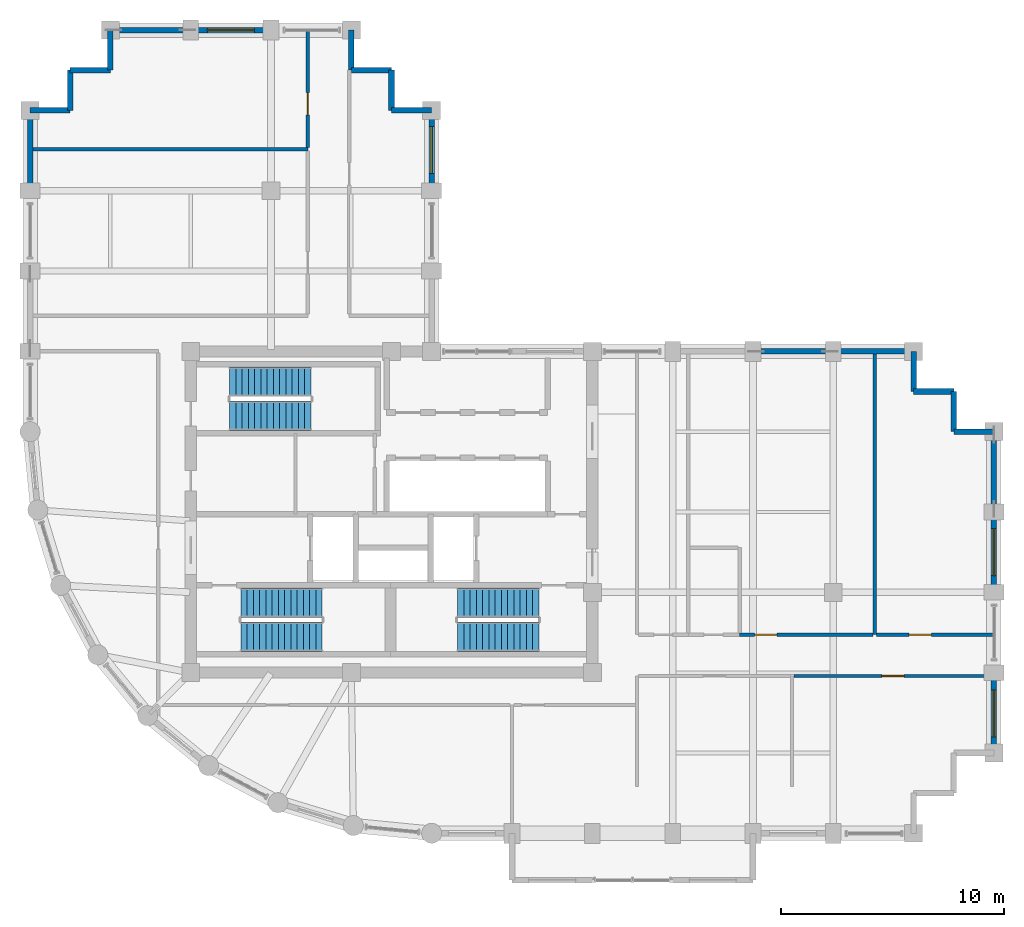
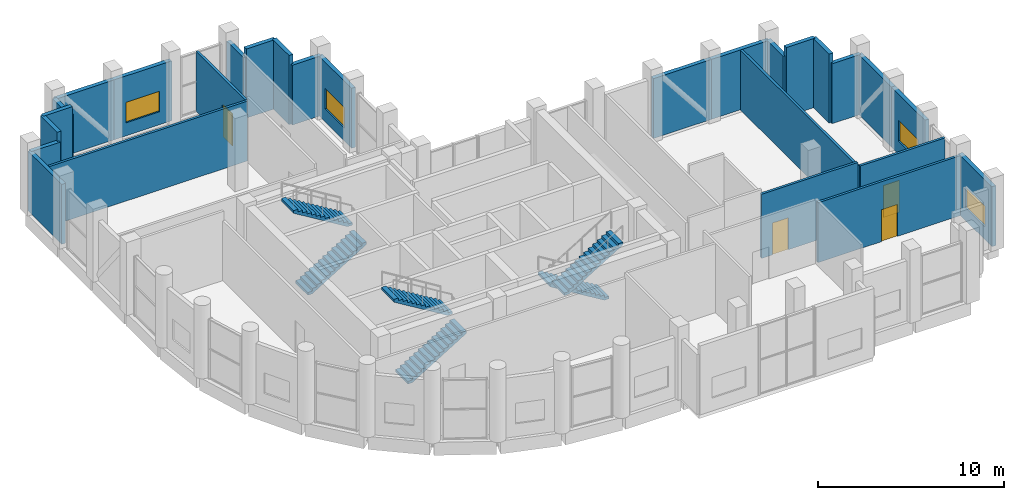
# One storey, part 15 of 16: 27 walls, 6 stair flights, 4 doors, 4 windows, 8 openings, 3 elements without a shape of their own.
"""IFC4 building model written with IfcOpenShell, lengths in metres."""

from ifc_helpers import new_model, si_unit, direction, frame, frame_2d, origin, place, context, subcontext, project, spatial, polyline, rectangle, outline, extrude, material, layer, layer_set, type_object, element, fill, aggregate, save


model = new_model("IFC4")

# Units and contexts
model_context = context("Model", 3, precision=1e-05, world=origin(), true_north=direction((0.0, 1.0)))
body_context = subcontext(model_context, "Body", "Model", "MODEL_VIEW")
ifc_project = project(units=[si_unit("LENGTHUNIT", "METRE"), si_unit("AREAUNIT", "SQUARE_METRE"), si_unit("VOLUMEUNIT", "CUBIC_METRE"), si_unit("PLANEANGLEUNIT", "RADIAN"), si_unit("MASSUNIT", "GRAM", prefix="KILO")], contexts=[model_context])

# Site, building, storey
site_placement = place(None, origin())
site = spatial("IfcSite", under=ifc_project, at=site_placement, CompositionType="ELEMENT")
building_placement = place(site_placement, origin())
building = spatial("IfcBuilding", under=site, at=building_placement, Name="Solnavia Interchange Tower", CompositionType="ELEMENT")
storey_placement = place(building_placement, frame((0.0, 0.0, 209.0)))
storey = spatial("IfcBuildingStorey", under=building, at=storey_placement, Name="L52", CompositionType="ELEMENT", Elevation=209.0)

# Wall, opening, window
ifc_material_1 = material(Name="Concrete C40/50", Category="concrete")
ifc_layer_1 = layer(ifc_material_1, 0.25)
ifc_layer_set_1 = layer_set([ifc_layer_1], Name="Concrete C40/50")
wall_type_1 = type_object("IfcWallType", Name="Wall-ExtSpandrel-250", PredefinedType="STANDARD", material=ifc_layer_set_1)
wall_1_placement = place(storey_placement, frame((50.39990234375, 10.800048828125, 0.0), z_axis=(0.0, 0.0, 1.0), x_axis=(0.0, -1.0, 0.0)))
wall_1 = element("IfcWall", 1, at=wall_1_placement, inside=storey, type_object=wall_type_1, Name="EXW-L52-13 Exterior precast spandrel wall", PredefinedType="STANDARD", context=body_context, shape_type="SweptSolid", body=[
    extrude(rectangle(XDim=3.60009765625, YDim=0.25, at=frame_2d((1.800048828125, 0.0))), origin(), (0.0, 0.0, 1.0), 3.929931640625),
])
opening_1_placement = place(wall_1_placement, frame((0.77490234375, 0.0, 0.85009765625)))
opening_1 = element("IfcOpeningElement", 2, at=opening_1_placement, cuts=wall_1, Name="Opening WIN-01", PredefinedType="OPENING", context=body_context, shape_type="SweptSolid", body=[
    extrude(rectangle(XDim=2.10009765625, YDim=1.35009765625, at=frame_2d((1.050048828125, 0.675048828125))), frame((0.0, 0.135009765625, 0.0), z_axis=(0.0, -1.0, 0.0), x_axis=(1.0, 0.0, 0.0)), (0.0, 0.0, 1.0), 0.27001953125),
])
ifc_material_2 = material(Name="Thermal-Break Aluminium & Low-E Glass", Category="aluminium")
window_type = type_object("IfcWindowType", Name="Window-Ribbon-2100x1350", PartitioningType="SINGLE_PANEL", PredefinedType="WINDOW", material=ifc_material_2)
window_1_placement = place(opening_1_placement, origin())
window_1 = element("IfcWindow", 3, at=window_1_placement, inside=storey, type_object=window_type, Name="WIN-L52-13 Facade ribbon window", OverallHeight=1.35009765625, OverallWidth=2.10009765625, PartitioningType="SINGLE_PANEL", PredefinedType="WINDOW", context=body_context, shape_type="SweptSolid", body=[
    extrude(rectangle(XDim=2.10009765625, YDim=1.35009765625, at=frame_2d((1.050048828125, 0.675048828125))), frame((0.0, 0.030029296875, 0.0), z_axis=(0.0, -1.0, 0.0), x_axis=(1.0, 0.0, 0.0)), (0.0, 0.0, 1.0), 0.06005859375),
])
fill(opening_1, window_1)

wall_2_placement = place(storey_placement, frame((50.39990234375, 18.0, 0.0), z_axis=(0.0, 0.0, 1.0), x_axis=(0.0, -1.0, 0.0)))
wall_2 = element("IfcWall", 4, at=wall_2_placement, inside=storey, type_object=wall_type_1, Name="EXW-L52-15 Exterior precast spandrel wall", PredefinedType="STANDARD", context=body_context, shape_type="SweptSolid", body=[
    extrude(rectangle(XDim=3.60009765625, YDim=0.25, at=frame_2d((1.800048828125, 0.0))), origin(), (0.0, 0.0, 1.0), 3.929931640625),
])
opening_2_placement = place(wall_2_placement, frame((0.75, 0.0, 0.85009765625)))
opening_2 = element("IfcOpeningElement", 5, at=opening_2_placement, cuts=wall_2, Name="Opening WIN-01", PredefinedType="OPENING", context=body_context, shape_type="SweptSolid", body=[
    extrude(rectangle(XDim=2.10009765625, YDim=1.35009765625, at=frame_2d((1.050048828125, 0.675048828125))), frame((0.0, 0.135009765625, 0.0), z_axis=(0.0, -1.0, 0.0), x_axis=(1.0, 0.0, 0.0)), (0.0, 0.0, 1.0), 0.27001953125),
])
window_2_placement = place(opening_2_placement, origin())
window_2 = element("IfcWindow", 6, at=window_2_placement, inside=storey, type_object=window_type, Name="WIN-L52-15 Facade ribbon window", OverallHeight=1.35009765625, OverallWidth=2.10009765625, PartitioningType="SINGLE_PANEL", PredefinedType="WINDOW", context=body_context, shape_type="SweptSolid", body=[
    extrude(rectangle(XDim=2.10009765625, YDim=1.35009765625, at=frame_2d((1.050048828125, 0.675048828125))), frame((0.0, 0.030029296875, 0.0), z_axis=(0.0, -1.0, 0.0), x_axis=(1.0, 0.0, 0.0)), (0.0, 0.0, 1.0), 0.06005859375),
])
fill(opening_2, window_2)

# Walls
wall_3_placement = place(storey_placement, frame((50.39990234375, 21.60009765625, 0.0), z_axis=(0.0, 0.0, 1.0), x_axis=(0.0, -1.0, 0.0)))
element("IfcWall", 7, at=wall_3_placement, inside=storey, type_object=wall_type_1, Name="EXW-L52-16 Exterior precast spandrel wall", PredefinedType="STANDARD", context=body_context, shape_type="SweptSolid", body=[
    extrude(rectangle(XDim=3.60009765625, YDim=0.25, at=frame_2d((1.800048828125, 0.0))), origin(), (0.0, 0.0, 1.0), 3.929931640625),
])
wall_4_placement = place(storey_placement, frame((48.60009765625, 21.60009765625, 0.0), z_axis=(0.0, 0.0, 1.0), x_axis=(1.0, 0.0, 0.0)))
element("IfcWall", 8, at=wall_4_placement, inside=storey, type_object=wall_type_1, Name="EXW-L52-17 Exterior precast spandrel wall", PredefinedType="STANDARD", context=body_context, shape_type="SweptSolid", body=[
    extrude(rectangle(XDim=1.7998046875, YDim=0.25, at=frame_2d((0.89990234375, 0.0))), origin(), (0.0, 0.0, 1.0), 3.929931640625),
])
wall_5_placement = place(storey_placement, frame((48.60009765625, 23.39990234375, 0.0), z_axis=(0.0, 0.0, 1.0), x_axis=(0.0, -1.0, 0.0)))
element("IfcWall", 9, at=wall_5_placement, inside=storey, type_object=wall_type_1, Name="EXW-L52-18 Exterior precast spandrel wall", PredefinedType="STANDARD", context=body_context, shape_type="SweptSolid", body=[
    extrude(rectangle(XDim=1.7998046875, YDim=0.25, at=frame_2d((0.89990234375, 0.0))), origin(), (0.0, 0.0, 1.0), 4.534912109375),
])
wall_6_placement = place(storey_placement, frame((46.800048828125, 23.39990234375, 0.0), z_axis=(0.0, 0.0, 1.0), x_axis=(1.0, 0.0, 0.0)))
element("IfcWall", 10, at=wall_6_placement, inside=storey, type_object=wall_type_1, Name="EXW-L52-19 Exterior precast spandrel wall", PredefinedType="STANDARD", context=body_context, shape_type="SweptSolid", body=[
    extrude(rectangle(XDim=1.800048828125, YDim=0.25, at=frame_2d((0.89990234375, 0.0))), origin(), (0.0, 0.0, 1.0), 4.534912109375),
])
wall_7_placement = place(storey_placement, frame((46.800048828125, 25.199951171875, 0.0), z_axis=(0.0, 0.0, 1.0), x_axis=(0.0, -1.0, 0.0)))
element("IfcWall", 11, at=wall_7_placement, inside=storey, type_object=wall_type_1, Name="EXW-L52-20 Exterior precast spandrel wall", PredefinedType="STANDARD", context=body_context, shape_type="SweptSolid", body=[
    extrude(rectangle(XDim=1.800048828125, YDim=0.25, at=frame_2d((0.89990234375, 0.0))), origin(), (0.0, 0.0, 1.0), 3.929931640625),
])
wall_8_placement = place(storey_placement, frame((43.199951171875, 25.199951171875, 0.0), z_axis=(0.0, 0.0, 1.0), x_axis=(1.0, 0.0, 0.0)))
element("IfcWall", 12, at=wall_8_placement, inside=storey, type_object=wall_type_1, Name="EXW-L52-21 Exterior precast spandrel wall", PredefinedType="STANDARD", context=body_context, shape_type="SweptSolid", body=[
    extrude(rectangle(XDim=3.60009765625, YDim=0.25, at=frame_2d((1.800048828125, 0.0))), origin(), (0.0, 0.0, 1.0), 3.929931640625),
])
wall_9_placement = place(storey_placement, frame((39.60009765625, 25.199951171875, 0.0), z_axis=(0.0, 0.0, 1.0), x_axis=(1.0, 0.0, 0.0)))
element("IfcWall", 13, at=wall_9_placement, inside=storey, type_object=wall_type_1, Name="EXW-L52-22 Exterior precast spandrel wall", PredefinedType="STANDARD", context=body_context, shape_type="SweptSolid", body=[
    extrude(rectangle(XDim=3.599853515625, YDim=0.25, at=frame_2d((1.7998046875, 0.0))), origin(), (0.0, 0.0, 1.0), 3.929931640625),
])

# Wall, opening, window
wall_10_placement = place(storey_placement, frame((25.199951171875, 32.39990234375, 0.0), z_axis=(0.0, 0.0, 1.0), x_axis=(0.0, 1.0, 0.0)))
wall_10 = element("IfcWall", 14, at=wall_10_placement, inside=storey, type_object=wall_type_1, Name="EXW-L52-29 Exterior precast spandrel wall", PredefinedType="STANDARD", context=body_context, shape_type="SweptSolid", body=[
    extrude(rectangle(XDim=3.60009765625, YDim=0.25, at=frame_2d((1.800048828125, 0.0))), origin(), (0.0, 0.0, 1.0), 3.929931640625),
])
opening_3_placement = place(wall_10_placement, frame((0.77490234375, 0.0, 0.85009765625)))
opening_3 = element("IfcOpeningElement", 15, at=opening_3_placement, cuts=wall_10, Name="Opening WIN-01", PredefinedType="OPENING", context=body_context, shape_type="SweptSolid", body=[
    extrude(rectangle(XDim=2.10009765625, YDim=1.35009765625, at=frame_2d((1.050048828125, 0.675048828125))), frame((0.0, 0.135009765625, 0.0), z_axis=(0.0, -1.0, 0.0), x_axis=(1.0, 0.0, 0.0)), (0.0, 0.0, 1.0), 0.27001953125),
])
window_3_placement = place(opening_3_placement, origin())
window_3 = element("IfcWindow", 16, at=window_3_placement, inside=storey, type_object=window_type, Name="WIN-L52-29 Facade ribbon window", OverallHeight=1.35009765625, OverallWidth=2.10009765625, PartitioningType="SINGLE_PANEL", PredefinedType="WINDOW", context=body_context, shape_type="SweptSolid", body=[
    extrude(rectangle(XDim=2.10009765625, YDim=1.35009765625, at=frame_2d((1.050048828125, 0.675048828125))), frame((0.0, 0.030029296875, 0.0), z_axis=(0.0, -1.0, 0.0), x_axis=(1.0, 0.0, 0.0)), (0.0, 0.0, 1.0), 0.06005859375),
])
fill(opening_3, window_3)

# Walls
wall_11_placement = place(storey_placement, frame((23.39990234375, 36.0, 0.0), z_axis=(0.0, 0.0, 1.0), x_axis=(1.0, 0.0, 0.0)))
element("IfcWall", 17, at=wall_11_placement, inside=storey, type_object=wall_type_1, Name="EXW-L52-30 Exterior precast spandrel wall", PredefinedType="STANDARD", context=body_context, shape_type="SweptSolid", body=[
    extrude(rectangle(XDim=1.800048828125, YDim=0.25, at=frame_2d((0.89990234375, 0.0))), origin(), (0.0, 0.0, 1.0), 3.929931640625),
])
wall_12_placement = place(storey_placement, frame((23.39990234375, 36.0, 0.0), z_axis=(0.0, 0.0, 1.0), x_axis=(0.0, 1.0, 0.0)))
element("IfcWall", 18, at=wall_12_placement, inside=storey, type_object=wall_type_1, Name="EXW-L52-31 Exterior precast spandrel wall", PredefinedType="STANDARD", context=body_context, shape_type="SweptSolid", body=[
    extrude(rectangle(XDim=1.800048828125, YDim=0.25, at=frame_2d((0.89990234375, 0.0))), origin(), (0.0, 0.0, 1.0), 4.534912109375),
])
wall_13_placement = place(storey_placement, frame((21.60009765625, 37.800048828125, 0.0), z_axis=(0.0, 0.0, 1.0), x_axis=(1.0, 0.0, 0.0)))
element("IfcWall", 19, at=wall_13_placement, inside=storey, type_object=wall_type_1, Name="EXW-L52-32 Exterior precast spandrel wall", PredefinedType="STANDARD", context=body_context, shape_type="SweptSolid", body=[
    extrude(rectangle(XDim=1.7998046875, YDim=0.25, at=frame_2d((0.89990234375, 0.0))), origin(), (0.0, 0.0, 1.0), 4.534912109375),
])
wall_14_placement = place(storey_placement, frame((21.60009765625, 37.800048828125, 0.0), z_axis=(0.0, 0.0, 1.0), x_axis=(0.0, 1.0, 0.0)))
element("IfcWall", 20, at=wall_14_placement, inside=storey, type_object=wall_type_1, Name="EXW-L52-33 Exterior precast spandrel wall", PredefinedType="STANDARD", context=body_context, shape_type="SweptSolid", body=[
    extrude(rectangle(XDim=1.800048828125, YDim=0.25, at=frame_2d((0.89990234375, 0.0))), origin(), (0.0, 0.0, 1.0), 3.929931640625),
])

# Wall, opening, window
wall_15_placement = place(storey_placement, frame((14.39990234375, 39.60009765625, 0.0), z_axis=(0.0, 0.0, 1.0), x_axis=(1.0, 0.0, 0.0)))
wall_15 = element("IfcWall", 21, at=wall_15_placement, inside=storey, type_object=wall_type_1, Name="EXW-L52-35 Exterior precast spandrel wall", PredefinedType="STANDARD", context=body_context, shape_type="SweptSolid", body=[
    extrude(rectangle(XDim=3.60009765625, YDim=0.25, at=frame_2d((1.800048828125, 0.0))), origin(), (0.0, 0.0, 1.0), 3.929931640625),
])
opening_4_placement = place(wall_15_placement, frame((0.75, 0.0, 0.85009765625)))
opening_4 = element("IfcOpeningElement", 22, at=opening_4_placement, cuts=wall_15, Name="Opening WIN-01", PredefinedType="OPENING", context=body_context, shape_type="SweptSolid", body=[
    extrude(rectangle(XDim=2.10009765625, YDim=1.35009765625, at=frame_2d((1.050048828125, 0.675048828125))), frame((0.0, 0.135009765625, 0.0), z_axis=(0.0, -1.0, 0.0), x_axis=(1.0, 0.0, 0.0)), (0.0, 0.0, 1.0), 0.27001953125),
])
window_4_placement = place(opening_4_placement, origin())
window_4 = element("IfcWindow", 23, at=window_4_placement, inside=storey, type_object=window_type, Name="WIN-L52-35 Facade ribbon window", OverallHeight=1.35009765625, OverallWidth=2.10009765625, PartitioningType="SINGLE_PANEL", PredefinedType="WINDOW", context=body_context, shape_type="SweptSolid", body=[
    extrude(rectangle(XDim=2.10009765625, YDim=1.35009765625, at=frame_2d((1.050048828125, 0.675048828125))), frame((0.0, 0.030029296875, 0.0), z_axis=(0.0, -1.0, 0.0), x_axis=(1.0, 0.0, 0.0)), (0.0, 0.0, 1.0), 0.06005859375),
])
fill(opening_4, window_4)

# Walls
wall_16_placement = place(storey_placement, frame((10.800048828125, 39.60009765625, 0.0), z_axis=(0.0, 0.0, 1.0), x_axis=(1.0, 0.0, 0.0)))
element("IfcWall", 24, at=wall_16_placement, inside=storey, type_object=wall_type_1, Name="EXW-L52-36 Exterior precast spandrel wall", PredefinedType="STANDARD", context=body_context, shape_type="SweptSolid", body=[
    extrude(rectangle(XDim=3.599853515625, YDim=0.25, at=frame_2d((1.7998046875, 0.0))), origin(), (0.0, 0.0, 1.0), 3.929931640625),
])
wall_17_placement = place(storey_placement, frame((10.800048828125, 37.800048828125, 0.0), z_axis=(0.0, 0.0, 1.0), x_axis=(0.0, 1.0, 0.0)))
element("IfcWall", 25, at=wall_17_placement, inside=storey, type_object=wall_type_1, Name="EXW-L52-37 Exterior precast spandrel wall", PredefinedType="STANDARD", context=body_context, shape_type="SweptSolid", body=[
    extrude(rectangle(XDim=1.800048828125, YDim=0.25, at=frame_2d((0.89990234375, 0.0))), origin(), (0.0, 0.0, 1.0), 3.929931640625),
])
for number, where, z_axis, x_axis, name in (
    (26, (9.0, 37.800048828125, 0.0), (0.0, 0.0, 1.0), (1.0, 0.0, 0.0), "EXW-L52-38 Exterior precast spandrel wall"),
    (27, (9.0, 36.0, 0.0), (0.0, 0.0, 1.0), (0.0, 1.0, 0.0), "EXW-L52-39 Exterior precast spandrel wall"),
):
    element("IfcWall", number, at=place(storey_placement, frame(where, z_axis=z_axis, x_axis=x_axis)), inside=storey, type_object=wall_type_1, Name=name, PredefinedType="STANDARD", context=body_context, shape_type="SweptSolid", body=[
        extrude(rectangle(XDim=1.800048828125, YDim=0.25, at=frame_2d((0.89990234375, 0.0))), origin(), (0.0, 0.0, 1.0), 4.534912109375),
    ])
wall_18_placement = place(storey_placement, frame((7.199951171875, 36.0, 0.0), z_axis=(0.0, 0.0, 1.0), x_axis=(1.0, 0.0, 0.0)))
element("IfcWall", 28, at=wall_18_placement, inside=storey, type_object=wall_type_1, Name="EXW-L52-40 Exterior precast spandrel wall", PredefinedType="STANDARD", context=body_context, shape_type="SweptSolid", body=[
    extrude(rectangle(XDim=1.800048828125, YDim=0.25, at=frame_2d((0.89990234375, 0.0))), origin(), (0.0, 0.0, 1.0), 3.929931640625),
])
wall_19_placement = place(storey_placement, frame((7.199951171875, 32.39990234375, 0.0), z_axis=(0.0, 0.0, 1.0), x_axis=(0.0, 1.0, 0.0)))
element("IfcWall", 29, at=wall_19_placement, inside=storey, type_object=wall_type_1, Name="EXW-L52-41 Exterior precast spandrel wall", PredefinedType="STANDARD", context=body_context, shape_type="SweptSolid", body=[
    extrude(rectangle(XDim=3.60009765625, YDim=0.25, at=frame_2d((1.800048828125, 0.0))), origin(), (0.0, 0.0, 1.0), 3.929931640625),
])

# Wall, opening, door
ifc_material_3 = material(Name="Gypsum Plasterboard & Steel Stud", Category="steel")
ifc_layer_2 = layer(ifc_material_3, 0.14990234375)
ifc_layer_set_2 = layer_set([ifc_layer_2], Name="Gypsum Plasterboard & Steel Stud")
wall_type_2 = type_object("IfcWallType", Name="Wall-Partition-150", PredefinedType="PARTITIONING", material=ifc_layer_set_2)
wall_20_placement = place(storey_placement, frame((41.428955078125, 10.64990234375, 0.0), z_axis=(0.0, 0.0, 1.0), x_axis=(1.0, 0.0, 0.0)))
wall_20 = element("IfcWall", 30, at=wall_20_placement, inside=storey, type_object=wall_type_2, Name="PTW-L52-16 Interior partition wall", PredefinedType="PARTITIONING", context=body_context, shape_type="SweptSolid", body=[
    extrude(rectangle(XDim=8.842041015625, YDim=0.14990234375, at=frame_2d((4.4208984375, 0.0))), origin(), (0.0, 0.0, 1.0), 3.929931640625),
])
opening_5_placement = place(wall_20_placement, frame((3.946044921875, 0.0, 0.0)))
opening_5 = element("IfcOpeningElement", 31, at=opening_5_placement, cuts=wall_20, Name="Opening DR-07", PredefinedType="OPENING", context=body_context, shape_type="SweptSolid", body=[
    extrude(rectangle(XDim=1.0, YDim=2.10009765625, at=frame_2d((0.5, 1.050048828125))), frame((0.0, 0.0849609375, 0.0), z_axis=(0.0, -1.0, 0.0), x_axis=(1.0, 0.0, 0.0)), (0.0, 0.0, 1.0), 0.169921875),
])
ifc_material_4 = material(Name="Timber & Acoustic Glazed Office Door", Category="wood")
door_type = type_object("IfcDoorType", Name="Door-Office-1000x2100", OperationType="SINGLE_SWING_RIGHT", PredefinedType="DOOR", material=ifc_material_4)
door_1_placement = place(opening_5_placement, origin())
door_1 = element("IfcDoor", 32, at=door_1_placement, inside=storey, type_object=door_type, Name="DR-L52-07 Interior room door", OperationType="SINGLE_SWING_RIGHT", OverallHeight=2.10009765625, OverallWidth=1.0, PredefinedType="DOOR", context=body_context, shape_type="SweptSolid", body=[
    extrude(rectangle(XDim=1.0, YDim=2.10009765625, at=frame_2d((0.5, 1.050048828125))), frame((0.0, 0.02490234375, 0.0), z_axis=(0.0, -1.0, 0.0), x_axis=(1.0, 0.0, 0.0)), (0.0, 0.0, 1.0), 0.050048828125),
])
fill(opening_5, door_1)

# Wall
wall_21_placement = place(storey_placement, frame((45.050048828125, 12.5, 0.0), z_axis=(0.0, 0.0, 1.0), x_axis=(0.0, 1.0, 0.0)))
element("IfcWall", 33, at=wall_21_placement, inside=storey, type_object=wall_type_2, Name="PTW-L52-17 Interior partition wall", PredefinedType="PARTITIONING", context=body_context, shape_type="SweptSolid", body=[
    extrude(rectangle(XDim=12.571044921875, YDim=0.14990234375, at=frame_2d((6.28564453125, 0.0))), origin(), (0.0, 0.0, 1.0), 3.929931640625),
])

# Wall, opening, door
wall_22_placement = place(storey_placement, frame((39.0, 12.5, 0.0), z_axis=(0.0, 0.0, 1.0), x_axis=(1.0, 0.0, 0.0)))
wall_22 = element("IfcWall", 34, at=wall_22_placement, inside=storey, type_object=wall_type_2, Name="PTW-L52-18 Interior partition wall", PredefinedType="PARTITIONING", context=body_context, shape_type="SweptSolid", body=[
    extrude(rectangle(XDim=5.970947265625, YDim=0.14990234375, at=frame_2d((2.9853515625, 0.0))), origin(), (0.0, 0.0, 1.0), 4.219970703125),
])
opening_6_placement = place(wall_22_placement, frame((0.675048828125, 0.0, 0.0)))
opening_6 = element("IfcOpeningElement", 35, at=opening_6_placement, cuts=wall_22, Name="Opening DR-07", PredefinedType="OPENING", context=body_context, shape_type="SweptSolid", body=[
    extrude(rectangle(XDim=1.0, YDim=2.10009765625, at=frame_2d((0.5, 1.050048828125))), frame((0.0, 0.0849609375, 0.0), z_axis=(0.0, -1.0, 0.0), x_axis=(1.0, 0.0, 0.0)), (0.0, 0.0, 1.0), 0.169921875),
])
door_2_placement = place(opening_6_placement, origin())
door_2 = element("IfcDoor", 36, at=door_2_placement, inside=storey, type_object=door_type, Name="DR-L52-08 Interior room door", OperationType="SINGLE_SWING_RIGHT", OverallHeight=2.10009765625, OverallWidth=1.0, PredefinedType="DOOR", context=body_context, shape_type="SweptSolid", body=[
    extrude(rectangle(XDim=1.0, YDim=2.10009765625, at=frame_2d((0.5, 1.050048828125))), frame((0.0, 0.02490234375, 0.0), z_axis=(0.0, -1.0, 0.0), x_axis=(1.0, 0.0, 0.0)), (0.0, 0.0, 1.0), 0.050048828125),
])
fill(opening_6, door_2)

wall_23_placement = place(storey_placement, frame((45.12890625, 12.5, 0.0), z_axis=(0.0, 0.0, 1.0), x_axis=(1.0, 0.0, 0.0)))
wall_23 = element("IfcWall", 37, at=wall_23_placement, inside=storey, type_object=wall_type_2, Name="PTW-L52-19 Interior partition wall", PredefinedType="PARTITIONING", context=body_context, shape_type="SweptSolid", body=[
    extrude(rectangle(XDim=5.27099609375, YDim=0.14990234375, at=frame_2d((2.635498046875, 0.0))), origin(), (0.0, 0.0, 1.0), 3.929931640625),
])
opening_7_placement = place(wall_23_placement, frame((1.465087890625, 0.0, 0.0)))
opening_7 = element("IfcOpeningElement", 38, at=opening_7_placement, cuts=wall_23, Name="Opening DR-07", PredefinedType="OPENING", context=body_context, shape_type="SweptSolid", body=[
    extrude(rectangle(XDim=1.0, YDim=2.10009765625, at=frame_2d((0.5, 1.050048828125))), frame((0.0, 0.0849609375, 0.0), z_axis=(0.0, -1.0, 0.0), x_axis=(1.0, 0.0, 0.0)), (0.0, 0.0, 1.0), 0.169921875),
])
door_3_placement = place(opening_7_placement, origin())
door_3 = element("IfcDoor", 39, at=door_3_placement, inside=storey, type_object=door_type, Name="DR-L52-09 Interior room door", OperationType="SINGLE_SWING_RIGHT", OverallHeight=2.10009765625, OverallWidth=1.0, PredefinedType="DOOR", context=body_context, shape_type="SweptSolid", body=[
    extrude(rectangle(XDim=1.0, YDim=2.10009765625, at=frame_2d((0.5, 1.050048828125))), frame((0.0, 0.02490234375, 0.0), z_axis=(0.0, -1.0, 0.0), x_axis=(1.0, 0.0, 0.0)), (0.0, 0.0, 1.0), 0.050048828125),
])
fill(opening_7, door_3)

# Wall
wall_24_placement = place(storey_placement, frame((7.3291015625, 34.25, 0.0), z_axis=(0.0, 0.0, 1.0), x_axis=(1.0, 0.0, 0.0)))
element("IfcWall", 40, at=wall_24_placement, inside=storey, type_object=wall_type_2, Name="PTW-L52-21 Interior partition wall", PredefinedType="PARTITIONING", context=body_context, shape_type="SweptSolid", body=[
    extrude(rectangle(XDim=12.32080078125, YDim=0.14990234375, at=frame_2d((6.160400390625, 0.0))), origin(), (0.0, 0.0, 1.0), 3.929931640625),
])

# Wall, opening, door
wall_25_placement = place(storey_placement, frame((19.64990234375, 34.3291015625, 0.0), z_axis=(0.0, 0.0, 1.0), x_axis=(0.0, 1.0, 0.0)))
wall_25 = element("IfcWall", 41, at=wall_25_placement, inside=storey, type_object=wall_type_2, Name="PTW-L52-23 Interior partition wall", PredefinedType="PARTITIONING", context=body_context, shape_type="SweptSolid", body=[
    extrude(rectangle(XDim=5.27099609375, YDim=0.14990234375, at=frame_2d((2.635498046875, 0.0))), origin(), (0.0, 0.0, 1.0), 3.929931640625),
])
opening_8_placement = place(wall_25_placement, frame((1.465087890625, 0.0, 0.0)))
opening_8 = element("IfcOpeningElement", 42, at=opening_8_placement, cuts=wall_25, Name="Opening DR-07", PredefinedType="OPENING", context=body_context, shape_type="SweptSolid", body=[
    extrude(rectangle(XDim=1.0, YDim=2.10009765625, at=frame_2d((0.5, 1.050048828125))), frame((0.0, 0.0849609375, 0.0), z_axis=(0.0, -1.0, 0.0), x_axis=(1.0, 0.0, 0.0)), (0.0, 0.0, 1.0), 0.169921875),
])
door_4_placement = place(opening_8_placement, origin())
door_4 = element("IfcDoor", 43, at=door_4_placement, inside=storey, type_object=door_type, Name="DR-L52-11 Interior room door", OperationType="SINGLE_SWING_RIGHT", OverallHeight=2.10009765625, OverallWidth=1.0, PredefinedType="DOOR", context=body_context, shape_type="SweptSolid", body=[
    extrude(rectangle(XDim=1.0, YDim=2.10009765625, at=frame_2d((0.5, 1.050048828125))), frame((0.0, 0.02490234375, 0.0), z_axis=(0.0, -1.0, 0.0), x_axis=(1.0, 0.0, 0.0)), (0.0, 0.0, 1.0), 0.050048828125),
])
fill(opening_8, door_4)

# Stair, stair flights
stair_type = type_object("IfcStairType", Name="Stair-Dogleg-RC", PredefinedType="HALF_TURN_STAIR", material=ifc_material_1)
stair_1_placement = place(storey_placement, origin())
stair_1 = element("IfcStair", 44, at=stair_1_placement, inside=storey, type_object=stair_type, Name="L52 Core exit stair 1", PredefinedType="HALF_TURN_STAIR")
stair_flight_type = type_object("IfcStairFlightType", Name="StairFlight-RC-150", PredefinedType="STRAIGHT", material=ifc_material_1)
stair_flight_1_placement = place(storey_placement, frame((16.64990234375, 12.409912109375, 0.0), z_axis=(0.0, 0.0, 1.0), x_axis=(1.0, 0.0, 0.0)))
stair_flight_1 = element("IfcStairFlight", 45, at=stair_flight_1_placement, type_object=stair_flight_type, Name="ST-1 flight 1", NumberOfRisers=14, NumberOfTreads=13, PredefinedType="STRAIGHT", RiserHeight=0.171428571, TreadLength=0.28, context=body_context, shape_type="SweptSolid", body=[
    extrude(outline(polyline([(0.0, 0.0), (0.0, 0.17138671875), (0.280029296875, 0.17138671875), (0.280029296875, 0.3427734375), (0.56005859375, 0.3427734375), (0.56005859375, 0.514404296875), (0.840087890625, 0.514404296875), (0.840087890625, 0.685791015625), (1.1201171875, 0.685791015625), (1.1201171875, 0.857177734375), (1.39990234375, 0.857177734375), (1.39990234375, 1.028564453125), (1.679931640625, 1.028564453125), (1.679931640625, 1.199951171875), (1.9599609375, 1.199951171875), (1.9599609375, 1.371337890625), (2.239990234375, 1.371337890625), (2.239990234375, 1.54296875), (2.52001953125, 1.54296875), (2.52001953125, 1.71435546875), (2.800048828125, 1.71435546875), (2.800048828125, 1.8857421875), (3.080078125, 1.8857421875), (3.080078125, 2.05712890625), (3.360107421875, 2.05712890625), (3.360107421875, 2.228515625), (3.639892578125, 2.228515625), (3.639892578125, 2.39990234375), (3.639892578125, 2.052734375), (0.287109375, 0.0), (0.0, 0.0)])), frame((0.0, 0.66015625, 0.0), z_axis=(0.0, -1.0, 0.0), x_axis=(1.0, 0.0, 0.0)), (0.0, 0.0, 1.0), 1.320068359375),
])
stair_flight_2_placement = place(storey_placement, frame((20.2900390625, 13.929931640625, 2.39990234375), z_axis=(0.0, 0.0, 1.0), x_axis=(-1.0, 0.0, 0.0)))
stair_flight_2 = element("IfcStairFlight", 46, at=stair_flight_2_placement, type_object=stair_flight_type, Name="ST-1 flight 2", NumberOfRisers=14, NumberOfTreads=13, PredefinedType="STRAIGHT", RiserHeight=0.171428571, TreadLength=0.28, context=body_context, shape_type="SweptSolid", body=[
    extrude(outline(polyline([(0.0, 0.0), (0.0, 0.17138671875), (0.280029296875, 0.17138671875), (0.280029296875, 0.3427734375), (0.56005859375, 0.3427734375), (0.56005859375, 0.514404296875), (0.840087890625, 0.514404296875), (0.840087890625, 0.685791015625), (1.1201171875, 0.685791015625), (1.1201171875, 0.857177734375), (1.39990234375, 0.857177734375), (1.39990234375, 1.028564453125), (1.679931640625, 1.028564453125), (1.679931640625, 1.199951171875), (1.9599609375, 1.199951171875), (1.9599609375, 1.371337890625), (2.239990234375, 1.371337890625), (2.239990234375, 1.54296875), (2.52001953125, 1.54296875), (2.52001953125, 1.71435546875), (2.800048828125, 1.71435546875), (2.800048828125, 1.8857421875), (3.080078125, 1.8857421875), (3.080078125, 2.05712890625), (3.360107421875, 2.05712890625), (3.360107421875, 2.228515625), (3.639892578125, 2.228515625), (3.639892578125, 2.39990234375), (3.639892578125, 2.052734375), (0.287109375, 0.0), (0.0, 0.0)])), frame((0.0, 0.66015625, 0.0), z_axis=(0.0, -1.0, 0.0), x_axis=(1.0, 0.0, 0.0)), (0.0, 0.0, 1.0), 1.320068359375),
])
aggregate(stair_1, [stair_flight_1, stair_flight_2])

stair_2_placement = place(storey_placement, origin())
stair_2 = element("IfcStair", 47, at=stair_2_placement, inside=storey, type_object=stair_type, Name="L52 Core exit stair 2", PredefinedType="HALF_TURN_STAIR")
stair_flight_3_placement = place(storey_placement, frame((30.0, 13.929931640625, 0.0), z_axis=(0.0, 0.0, 1.0), x_axis=(-1.0, 0.0, 0.0)))
stair_flight_3 = element("IfcStairFlight", 48, at=stair_flight_3_placement, type_object=stair_flight_type, Name="ST-2 flight 1", NumberOfRisers=14, NumberOfTreads=13, PredefinedType="STRAIGHT", RiserHeight=0.171428571, TreadLength=0.28, context=body_context, shape_type="SweptSolid", body=[
    extrude(outline(polyline([(0.0, 0.0), (0.0, 0.17138671875), (0.280029296875, 0.17138671875), (0.280029296875, 0.3427734375), (0.56005859375, 0.3427734375), (0.56005859375, 0.514404296875), (0.840087890625, 0.514404296875), (0.840087890625, 0.685791015625), (1.1201171875, 0.685791015625), (1.1201171875, 0.857177734375), (1.39990234375, 0.857177734375), (1.39990234375, 1.028564453125), (1.679931640625, 1.028564453125), (1.679931640625, 1.199951171875), (1.9599609375, 1.199951171875), (1.9599609375, 1.371337890625), (2.239990234375, 1.371337890625), (2.239990234375, 1.54296875), (2.52001953125, 1.54296875), (2.52001953125, 1.71435546875), (2.800048828125, 1.71435546875), (2.800048828125, 1.8857421875), (3.080078125, 1.8857421875), (3.080078125, 2.05712890625), (3.360107421875, 2.05712890625), (3.360107421875, 2.228515625), (3.639892578125, 2.228515625), (3.639892578125, 2.39990234375), (3.639892578125, 2.052734375), (0.287109375, 0.0), (0.0, 0.0)])), frame((0.0, 0.66015625, 0.0), z_axis=(0.0, -1.0, 0.0), x_axis=(1.0, 0.0, 0.0)), (0.0, 0.0, 1.0), 1.320068359375),
])
stair_flight_4_placement = place(storey_placement, frame((26.360107421875, 12.409912109375, 2.39990234375), z_axis=(0.0, 0.0, 1.0), x_axis=(1.0, 0.0, 0.0)))
stair_flight_4 = element("IfcStairFlight", 49, at=stair_flight_4_placement, type_object=stair_flight_type, Name="ST-2 flight 2", NumberOfRisers=14, NumberOfTreads=13, PredefinedType="STRAIGHT", RiserHeight=0.171428571, TreadLength=0.28, context=body_context, shape_type="SweptSolid", body=[
    extrude(outline(polyline([(0.0, 0.0), (0.0, 0.17138671875), (0.280029296875, 0.17138671875), (0.280029296875, 0.3427734375), (0.56005859375, 0.3427734375), (0.56005859375, 0.514404296875), (0.840087890625, 0.514404296875), (0.840087890625, 0.685791015625), (1.1201171875, 0.685791015625), (1.1201171875, 0.857177734375), (1.39990234375, 0.857177734375), (1.39990234375, 1.028564453125), (1.679931640625, 1.028564453125), (1.679931640625, 1.199951171875), (1.9599609375, 1.199951171875), (1.9599609375, 1.371337890625), (2.239990234375, 1.371337890625), (2.239990234375, 1.54296875), (2.52001953125, 1.54296875), (2.52001953125, 1.71435546875), (2.800048828125, 1.71435546875), (2.800048828125, 1.8857421875), (3.080078125, 1.8857421875), (3.080078125, 2.05712890625), (3.360107421875, 2.05712890625), (3.360107421875, 2.228515625), (3.639892578125, 2.228515625), (3.639892578125, 2.39990234375), (3.639892578125, 2.052734375), (0.287109375, 0.0), (0.0, 0.0)])), frame((0.0, 0.66015625, 0.0), z_axis=(0.0, -1.0, 0.0), x_axis=(1.0, 0.0, 0.0)), (0.0, 0.0, 1.0), 1.320068359375),
])
aggregate(stair_2, [stair_flight_3, stair_flight_4])

stair_3_placement = place(storey_placement, origin())
stair_3 = element("IfcStair", 50, at=stair_3_placement, inside=storey, type_object=stair_type, Name="L52 Core exit stair 3", PredefinedType="HALF_TURN_STAIR")
stair_flight_5_placement = place(storey_placement, frame((16.14990234375, 22.31005859375, 0.0), z_axis=(0.0, 0.0, 1.0), x_axis=(1.0, 0.0, 0.0)))
stair_flight_5 = element("IfcStairFlight", 51, at=stair_flight_5_placement, type_object=stair_flight_type, Name="ST-3 flight 1", NumberOfRisers=14, NumberOfTreads=13, PredefinedType="STRAIGHT", RiserHeight=0.171428571, TreadLength=0.28, context=body_context, shape_type="SweptSolid", body=[
    extrude(outline(polyline([(0.0, 0.0), (0.0, 0.17138671875), (0.280029296875, 0.17138671875), (0.280029296875, 0.3427734375), (0.56005859375, 0.3427734375), (0.56005859375, 0.514404296875), (0.840087890625, 0.514404296875), (0.840087890625, 0.685791015625), (1.1201171875, 0.685791015625), (1.1201171875, 0.857177734375), (1.39990234375, 0.857177734375), (1.39990234375, 1.028564453125), (1.679931640625, 1.028564453125), (1.679931640625, 1.199951171875), (1.9599609375, 1.199951171875), (1.9599609375, 1.371337890625), (2.239990234375, 1.371337890625), (2.239990234375, 1.54296875), (2.52001953125, 1.54296875), (2.52001953125, 1.71435546875), (2.800048828125, 1.71435546875), (2.800048828125, 1.8857421875), (3.080078125, 1.8857421875), (3.080078125, 2.05712890625), (3.360107421875, 2.05712890625), (3.360107421875, 2.228515625), (3.639892578125, 2.228515625), (3.639892578125, 2.39990234375), (3.639892578125, 2.052734375), (0.287109375, 0.0), (0.0, 0.0)])), frame((0.0, 0.66015625, 0.0), z_axis=(0.0, -1.0, 0.0), x_axis=(1.0, 0.0, 0.0)), (0.0, 0.0, 1.0), 1.320068359375),
])
stair_flight_6_placement = place(storey_placement, frame((19.7900390625, 23.830078125, 2.39990234375), z_axis=(0.0, 0.0, 1.0), x_axis=(-1.0, 0.0, 0.0)))
stair_flight_6 = element("IfcStairFlight", 52, at=stair_flight_6_placement, type_object=stair_flight_type, Name="ST-3 flight 2", NumberOfRisers=14, NumberOfTreads=13, PredefinedType="STRAIGHT", RiserHeight=0.171428571, TreadLength=0.28, context=body_context, shape_type="SweptSolid", body=[
    extrude(outline(polyline([(0.0, 0.0), (0.0, 0.17138671875), (0.280029296875, 0.17138671875), (0.280029296875, 0.3427734375), (0.56005859375, 0.3427734375), (0.56005859375, 0.514404296875), (0.840087890625, 0.514404296875), (0.840087890625, 0.685791015625), (1.1201171875, 0.685791015625), (1.1201171875, 0.857177734375), (1.39990234375, 0.857177734375), (1.39990234375, 1.028564453125), (1.679931640625, 1.028564453125), (1.679931640625, 1.199951171875), (1.9599609375, 1.199951171875), (1.9599609375, 1.371337890625), (2.239990234375, 1.371337890625), (2.239990234375, 1.54296875), (2.52001953125, 1.54296875), (2.52001953125, 1.71435546875), (2.800048828125, 1.71435546875), (2.800048828125, 1.8857421875), (3.080078125, 1.8857421875), (3.080078125, 2.05712890625), (3.360107421875, 2.05712890625), (3.360107421875, 2.228515625), (3.639892578125, 2.228515625), (3.639892578125, 2.39990234375), (3.639892578125, 2.052734375), (0.287109375, 0.0), (0.0, 0.0)])), frame((0.0, 0.66015625, 0.0), z_axis=(0.0, -1.0, 0.0), x_axis=(1.0, 0.0, 0.0)), (0.0, 0.0, 1.0), 1.320068359375),
])
aggregate(stair_3, [stair_flight_5, stair_flight_6])

save(model, "model.ifc")
